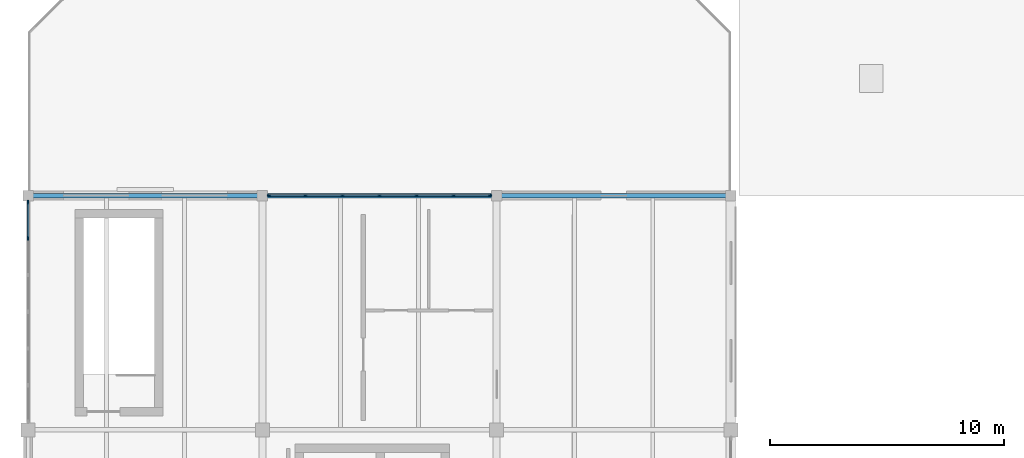
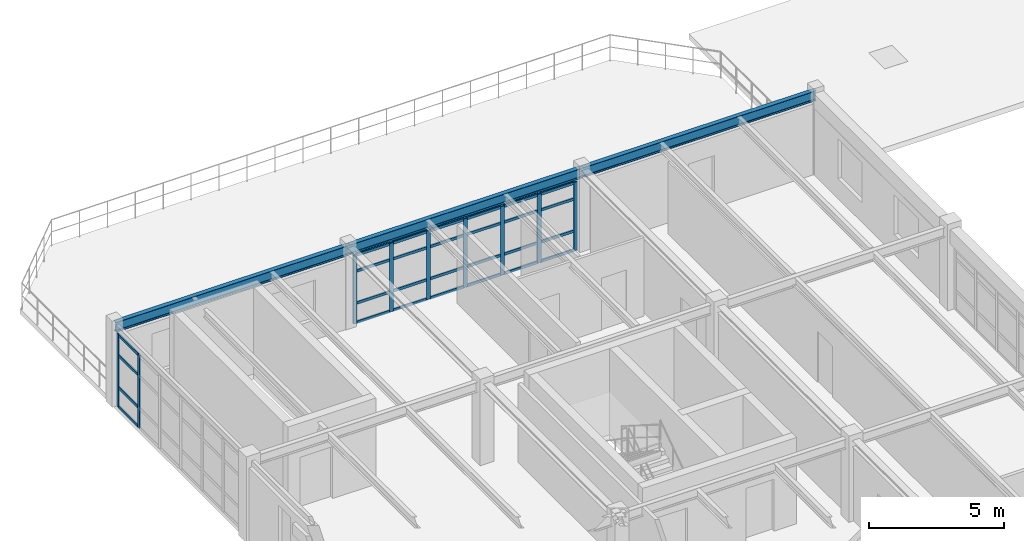
# One storey, part 13 of 23: 37 members, 3 beams, 2 elements without a shape of their own.
"""IFC4 building model written with IfcOpenShell, lengths in metres."""

import ifcopenshell
import ifcopenshell.guid

model = None  # the IFC model being written
_history = None  # IfcOwnerHistory: only IFC2X3 demands one
_inside = {}  # id of a spatial element -> (the spatial element, [elements in it])
_under = {}  # id of a project, library or spatial element -> (it, [spatial elements below it])
_declared = {}  # id of a project -> (the project, [libraries it declares])
_typed = {}  # id of a type object -> (the type object, [elements of that type])
_made_of = {}  # id of a material, layer set ... -> (it, [elements and type objects made of it])


def new_model(schema):
    """Start an empty IFC model of exactly this schema.

    Asked for "IFC4X3", IfcOpenShell would pick the latest addendum, in which some entities
    have other attributes; the version numbers below select the first issue.
    IFC2X3 requires an IfcOwnerHistory on every rooted entity: one is made here for all.
    """
    global model, _history
    if schema == "IFC4X3":
        model = ifcopenshell.file(schema_version=(4, 3, 0, 0))
    else:
        model = ifcopenshell.file(schema=schema)
    _inside.clear()
    _under.clear()
    _declared.clear()
    _typed.clear()
    _made_of.clear()
    _history = None
    if model.schema == "IFC2X3":
        org = make("IfcOrganization", Name="unknown")
        user = make(
            "IfcPersonAndOrganization",
            ThePerson=make("IfcPerson", FamilyName="unknown"),
            TheOrganization=org,
        )
        app = make(
            "IfcApplication",
            ApplicationDeveloper=org,
            Version="unknown",
            ApplicationFullName="unknown",
            ApplicationIdentifier="unknown",
        )
        _history = make(
            "IfcOwnerHistory",
            OwningUser=user,
            OwningApplication=app,
            ChangeAction="ADDED",
            CreationDate=0,
        )
    return model


def make(cls, **values):
    """One entity of the class cls with the attributes given. An attribute that is None is left unset."""
    return model.create_entity(
        cls, **{name: value for name, value in values.items() if value is not None}
    )


def rooted(cls, **values):
    """An entity with a GlobalId (a new one), such as an element, a storey or a relation."""
    return make(cls, GlobalId=ifcopenshell.guid.new(), OwnerHistory=_history, **values)


def si_unit(unit_type, name, prefix=None):
    """IfcSIUnit, for example si_unit("LENGTHUNIT", "METRE", prefix="MILLI")."""
    return make("IfcSIUnit", UnitType=unit_type, Prefix=prefix, Name=name)


def assignment(units):
    """IfcUnitAssignment: the units of a project."""
    return None if units is None else make("IfcUnitAssignment", Units=units)


def point(xyz):
    """IfcCartesianPoint."""
    return None if xyz is None else make("IfcCartesianPoint", Coordinates=xyz)


def direction(xyz):
    """IfcDirection."""
    return None if xyz is None else make("IfcDirection", DirectionRatios=xyz)


def frame(location, z_axis=None, x_axis=None):
    """IfcAxis2Placement3D, a coordinate frame: its origin and axes. An axis left out is left unset."""
    return make(
        "IfcAxis2Placement3D",
        Location=point(location),
        Axis=direction(z_axis),
        RefDirection=direction(x_axis),
    )


def frame_2d(location, x_axis=None):
    """IfcAxis2Placement2D, a coordinate frame in the plane: its origin and x axis."""
    return make(
        "IfcAxis2Placement2D", Location=point(location), RefDirection=direction(x_axis)
    )


def origin():
    """The frame at (0, 0, 0) with its axes left unset."""
    return frame((0.0, 0.0, 0.0))


def origin_2d():
    """The frame at (0, 0) in the plane with its x axis left unset."""
    return frame_2d((0.0, 0.0))


def place(relative_to, where):
    """IfcLocalPlacement: puts the frame where relative to a parent placement (None: the world)."""
    return make(
        "IfcLocalPlacement", PlacementRelTo=relative_to, RelativePlacement=where
    )


def context(
    kind, dimensions, precision=None, world=None, true_north=None, identifier=None
):
    """IfcGeometricRepresentationContext, for example the 3D "Model" context."""
    return make(
        "IfcGeometricRepresentationContext",
        ContextIdentifier=identifier,
        ContextType=kind,
        CoordinateSpaceDimension=dimensions,
        Precision=precision,
        WorldCoordinateSystem=world,
        TrueNorth=true_north,
    )


def subcontext(parent, identifier, kind, view, scale=None):
    """IfcGeometricRepresentationSubContext, for example "Body" below "Model"."""
    return make(
        "IfcGeometricRepresentationSubContext",
        ContextIdentifier=identifier,
        ContextType=kind,
        ParentContext=parent,
        TargetScale=scale,
        TargetView=view,
    )


def project(units=None, contexts=None):
    """IfcProject with its units and contexts."""
    return rooted(
        "IfcProject",
        Name="project",
        RepresentationContexts=contexts,
        UnitsInContext=assignment(units),
    )


def spatial(cls, under=None, at=None, **own):
    """A site, building, storey or space (cls), placed at a placement, below another one or the project."""
    s = rooted(cls, ObjectPlacement=at, **own)
    if under is not None:
        _under.setdefault(under.id(), (under, []))[1].append(s)
    return s


def profile(cls, at=None, kind="AREA", **sizes):
    """A parametric profile (cls). Its sizes go by their IFC names, for example OverallWidth=200.0."""
    return make(cls, ProfileType=kind, Position=at, **sizes)


def rectangle(**sizes):
    """IfcRectangleProfileDef."""
    return profile("IfcRectangleProfileDef", **sizes)


def i_section(**sizes):
    """IfcIShapeProfileDef."""
    return profile("IfcIShapeProfileDef", **sizes)


def extrude(swept, where, along, depth):
    """IfcExtrudedAreaSolid: the profile swept, set in the frame where, extruded along a direction by depth."""
    return make(
        "IfcExtrudedAreaSolid",
        SweptArea=swept,
        Position=where,
        ExtrudedDirection=direction(along),
        Depth=depth,
    )


def shape(context_of_items, identifier, shape_type, items):
    """IfcShapeRepresentation: the items that make up one representation, for example the "Body"."""
    return make(
        "IfcShapeRepresentation",
        ContextOfItems=context_of_items,
        RepresentationIdentifier=identifier,
        RepresentationType=shape_type,
        Items=items,
    )


def material(Name=None, Category=None):
    """IfcMaterial."""
    return make("IfcMaterial", Name=Name, Category=Category)


def layer(
    of_material, thickness, ventilated=None, Name=None, Category=None, Priority=None
):
    """IfcMaterialLayer: one layer of a wall or slab, of a material (None: an air gap)."""
    return make(
        "IfcMaterialLayer",
        Material=of_material,
        LayerThickness=thickness,
        IsVentilated=ventilated,
        Name=Name,
        Category=Category,
        Priority=Priority,
    )


def layer_set(layers, Name=None):
    """IfcMaterialLayerSet."""
    return make("IfcMaterialLayerSet", MaterialLayers=layers, LayerSetName=Name)


def material_profile(
    of_material, cross_section, Name=None, Category=None, Priority=None
):
    """IfcMaterialProfile: a cross section and its material."""
    return make(
        "IfcMaterialProfile",
        Name=Name,
        Material=of_material,
        Profile=cross_section,
        Priority=Priority,
        Category=Category,
    )


def profile_set(profiles, Name=None, composite=None):
    """IfcMaterialProfileSet."""
    return make(
        "IfcMaterialProfileSet",
        Name=Name,
        MaterialProfiles=profiles,
        CompositeProfile=composite,
    )


def made_of(thing, what):
    """Note that an element or type object is made of a material, layer set ...; save() writes the relation."""
    if what is not None:
        _made_of.setdefault(what.id(), (what, []))[1].append(thing)
    return thing


def type_object(cls, material=None, **own):
    """A type object (cls), such as IfcWallType, which elements share."""
    return made_of(rooted(cls, **own), material)


def element(
    cls,
    number,
    at=None,
    inside=None,
    cuts=None,
    type_object=None,
    material=None,
    context=None,
    identifier="Body",
    shape_type=None,
    held_by="IfcProductDefinitionShape",
    body=None,
    shapes=None,
    **own,
):
    """One element of the class cls, such as IfcWall. Its Tag is "e" and its number.

    at: its placement. inside: the storey or other place that contains it. cuts: it is an
    opening in that element (IfcRelVoidsElement). A single representation is given by context,
    identifier, shape_type and body (its items); several are given by shapes. held_by: the class
    of the entity that holds the representations. save() writes the other relations.
    """
    e = rooted(cls, Tag="e%d" % number, ObjectPlacement=at, **own)
    if body is not None:
        shapes = [shape(context, identifier, shape_type, body)]
    if shapes is not None:
        e.Representation = make(held_by, Representations=shapes)
    if inside is not None:
        _inside.setdefault(inside.id(), (inside, []))[1].append(e)
    if cuts is not None:
        rooted(
            "IfcRelVoidsElement", RelatingBuildingElement=cuts, RelatedOpeningElement=e
        )
    if type_object is not None:
        _typed.setdefault(type_object.id(), (type_object, []))[1].append(e)
    return made_of(e, material)


def aggregate(whole, parts):
    """IfcRelAggregates: a whole, such as a stair, and the parts it consists of."""
    return rooted("IfcRelAggregates", RelatingObject=whole, RelatedObjects=parts)


def save(model, path):
    """Write the relations noted so far, then the file.

    IfcRelAggregates (storeys below a building ...), IfcRelContainedInSpatialStructure (elements
    in a storey), IfcRelDefinesByType, IfcRelAssociatesMaterial and IfcRelDeclares: one each for
    every whole, place, type object, material and project.
    """
    for whole, parts in _under.values():
        aggregate(whole, parts)
    for where, things in _inside.values():
        rooted(
            "IfcRelContainedInSpatialStructure",
            RelatedElements=things,
            RelatingStructure=where,
        )
    for kind, things in _typed.values():
        rooted("IfcRelDefinesByType", RelatedObjects=things, RelatingType=kind)
    for what, things in _made_of.values():
        rooted("IfcRelAssociatesMaterial", RelatedObjects=things, RelatingMaterial=what)
    for by, libraries in _declared.values():
        rooted("IfcRelDeclares", RelatingContext=by, RelatedDefinitions=libraries)
    model.write(path)


model = new_model("IFC4")

# Units and contexts
model_context = context("Model", 3, precision=1e-05, world=origin(), true_north=direction((0.0, 1.0)))
body_context = subcontext(model_context, "Body", "Model", "MODEL_VIEW")
ifc_project = project(units=[si_unit("LENGTHUNIT", "METRE"), si_unit("AREAUNIT", "SQUARE_METRE"), si_unit("VOLUMEUNIT", "CUBIC_METRE"), si_unit("PLANEANGLEUNIT", "RADIAN"), si_unit("MASSUNIT", "GRAM", prefix="KILO"), si_unit("THERMODYNAMICTEMPERATUREUNIT", "KELVIN"), si_unit("POWERUNIT", "WATT")], contexts=[model_context])

# Site, building, storey
site_placement = place(None, origin())
site = spatial("IfcSite", under=ifc_project, at=site_placement, CompositionType="ELEMENT")
building_placement = place(site_placement, origin())
building = spatial("IfcBuilding", under=site, at=building_placement, Name="Korenveer Ferry Terminal", CompositionType="ELEMENT")
storey_placement = place(building_placement, frame((0.0, 0.0, 14.39990234375)))
storey = spatial("IfcBuildingStorey", under=building, at=storey_placement, Name="L03", CompositionType="ELEMENT", Elevation=14.39990234375)

# Curtain wall, members
ifc_material_1 = material(Name="Unitised bronze-and-glass curtain wall", Category="glass")
ifc_layer_1 = layer(ifc_material_1, 0.159912109375)
ifc_layer_set_1 = layer_set([ifc_layer_1], Name="Unitised bronze-and-glass curtain wall")
curtain_wall_type_1 = type_object("IfcCurtainWallType", Name="ENV-CW-125", PredefinedType="USERDEFINED", material=ifc_layer_set_1)
curtain_wall_1_placement = place(storey_placement, frame((10.2548828125, 70.0, 0.0)))
curtain_wall_1 = element("IfcCurtainWall", 1, at=curtain_wall_1_placement, inside=storey, type_object=curtain_wall_type_1, Name="Lancet curtain wall CWX-L03-X10-20-Y70-70", ObjectType="UNITISED CURTAIN WALL", PredefinedType="USERDEFINED")
ifc_material_2 = material(Name="Anodised bronze aluminium", Category="aluminium")
ifc_material_profile_1 = material_profile(ifc_material_2, rectangle(XDim=0.06005859375, YDim=0.159912109375, at=origin_2d()), Name="ALU 60x160")
ifc_profile_set_1 = profile_set([ifc_material_profile_1], Name="Anodised bronze aluminium")
member_type_1 = type_object("IfcMemberType", Name="ENV-CWM-60X160", PredefinedType="MULLION", material=ifc_profile_set_1)
member_1_placement = place(storey_placement, frame((10.284912109375, 70.0, 0.0), z_axis=(0.0, 0.0, 1.0), x_axis=(0.0, 1.0, 0.0)))
member_1 = element("IfcMember", 2, at=member_1_placement, type_object=member_type_1, Name="CW-125 mullion 1", PredefinedType="MULLION", context=body_context, shape_type="SweptSolid", body=[
    extrude(rectangle(XDim=0.06005859375, YDim=0.159912109375, at=origin_2d()), origin(), (0.0, 0.0, 1.0), 3.10009765625),
])
member_2_placement = place(storey_placement, frame((11.836669921875, 70.0, 0.0), z_axis=(0.0, 0.0, 1.0), x_axis=(0.0, 1.0, 0.0)))
member_2 = element("IfcMember", 3, at=member_2_placement, type_object=member_type_1, Name="CW-125 mullion 2", PredefinedType="MULLION", context=body_context, shape_type="SweptSolid", body=[
    extrude(rectangle(XDim=0.06005859375, YDim=0.159912109375, at=origin_2d()), origin(), (0.0, 0.0, 1.0), 3.10009765625),
])
member_3_placement = place(storey_placement, frame((13.418212890625, 70.0, 0.0), z_axis=(0.0, 0.0, 1.0), x_axis=(0.0, 1.0, 0.0)))
member_3 = element("IfcMember", 4, at=member_3_placement, type_object=member_type_1, Name="CW-125 mullion 3", PredefinedType="MULLION", context=body_context, shape_type="SweptSolid", body=[
    extrude(rectangle(XDim=0.06005859375, YDim=0.159912109375, at=origin_2d()), origin(), (0.0, 0.0, 1.0), 3.10009765625),
])
member_4_placement = place(storey_placement, frame((15.0, 70.0, 0.0), z_axis=(0.0, 0.0, 1.0), x_axis=(0.0, 1.0, 0.0)))
member_4 = element("IfcMember", 5, at=member_4_placement, type_object=member_type_1, Name="CW-125 mullion 4", PredefinedType="MULLION", context=body_context, shape_type="SweptSolid", body=[
    extrude(rectangle(XDim=0.06005859375, YDim=0.159912109375, at=origin_2d()), origin(), (0.0, 0.0, 1.0), 3.10009765625),
])
member_5_placement = place(storey_placement, frame((16.581787109375, 70.0, 0.0), z_axis=(0.0, 0.0, 1.0), x_axis=(0.0, 1.0, 0.0)))
member_5 = element("IfcMember", 6, at=member_5_placement, type_object=member_type_1, Name="CW-125 mullion 5", PredefinedType="MULLION", context=body_context, shape_type="SweptSolid", body=[
    extrude(rectangle(XDim=0.06005859375, YDim=0.159912109375, at=origin_2d()), origin(), (0.0, 0.0, 1.0), 3.10009765625),
])
member_6_placement = place(storey_placement, frame((18.163330078125, 70.0, 0.0), z_axis=(0.0, 0.0, 1.0), x_axis=(0.0, 1.0, 0.0)))
member_6 = element("IfcMember", 7, at=member_6_placement, type_object=member_type_1, Name="CW-125 mullion 6", PredefinedType="MULLION", context=body_context, shape_type="SweptSolid", body=[
    extrude(rectangle(XDim=0.06005859375, YDim=0.159912109375, at=origin_2d()), origin(), (0.0, 0.0, 1.0), 3.10009765625),
])
member_7_placement = place(storey_placement, frame((19.715087890625, 70.0, 0.0), z_axis=(0.0, 0.0, 1.0), x_axis=(0.0, 1.0, 0.0)))
member_7 = element("IfcMember", 8, at=member_7_placement, type_object=member_type_1, Name="CW-125 mullion 7", PredefinedType="MULLION", context=body_context, shape_type="SweptSolid", body=[
    extrude(rectangle(XDim=0.06005859375, YDim=0.159912109375, at=origin_2d()), origin(), (0.0, 0.0, 1.0), 3.10009765625),
])

ifc_layer_2 = layer(ifc_material_1, 0.159912109375)
ifc_layer_set_2 = layer_set([ifc_layer_2], Name="Unitised bronze-and-glass curtain wall")
curtain_wall_type_2 = type_object("IfcCurtainWallType", Name="ENV-CW-126", PredefinedType="USERDEFINED", material=ifc_layer_set_2)
curtain_wall_2_placement = place(storey_placement, frame((0.0, 60.330078125, 0.0)))
curtain_wall_2 = element("IfcCurtainWall", 9, at=curtain_wall_2_placement, inside=storey, type_object=curtain_wall_type_2, Name="Lancet curtain wall CWX-L03-X0-0-Y60-70", ObjectType="UNITISED CURTAIN WALL", PredefinedType="USERDEFINED")
member_8_placement = place(storey_placement, frame((0.0, 68.17578125, 0.0), z_axis=(0.0, 0.0, 1.0), x_axis=(-1.0, 0.0, 0.0)))
member_8 = element("IfcMember", 10, at=member_8_placement, type_object=member_type_1, Name="CW-126 mullion 6", PredefinedType="MULLION", context=body_context, shape_type="SweptSolid", body=[
    extrude(rectangle(XDim=0.06005859375, YDim=0.159912109375, at=origin_2d()), origin(), (0.0, 0.0, 1.0), 3.300048828125),
])
member_9_placement = place(storey_placement, frame((0.0, 69.715087890625, 0.0), z_axis=(0.0, 0.0, 1.0), x_axis=(-1.0, 0.0, 0.0)))
member_9 = element("IfcMember", 11, at=member_9_placement, type_object=member_type_1, Name="CW-126 mullion 7", PredefinedType="MULLION", context=body_context, shape_type="SweptSolid", body=[
    extrude(rectangle(XDim=0.06005859375, YDim=0.159912109375, at=origin_2d()), origin(), (0.0, 0.0, 1.0), 3.300048828125),
])

# Member
ifc_material_profile_2 = material_profile(ifc_material_2, rectangle(XDim=0.06005859375, YDim=0.1201171875, at=origin_2d()), Name="ALU 60x120")
ifc_profile_set_2 = profile_set([ifc_material_profile_2], Name="Anodised bronze aluminium")
member_type_2 = type_object("IfcMemberType", Name="ENV-CWT-60X120", PredefinedType="USERDEFINED", material=ifc_profile_set_2)
member_10_placement = place(storey_placement, frame((10.31494140625, 70.0, 0.030029296875), z_axis=(1.0, 0.0, 0.0), x_axis=(0.0, 1.0, 0.0)))
member_10 = element("IfcMember", 12, at=member_10_placement, type_object=member_type_2, Name="CW-125 transom 1.1", ObjectType="TRANSOM", PredefinedType="USERDEFINED", context=body_context, shape_type="SweptSolid", body=[
    extrude(rectangle(XDim=0.06005859375, YDim=0.1201171875, at=origin_2d()), origin(), (0.0, 0.0, 1.0), 1.49169921875),
])

member_11_placement = place(storey_placement, frame((10.31494140625, 70.0, 0.900146484375), z_axis=(1.0, 0.0, 0.0), x_axis=(0.0, 1.0, 0.0)))
member_11 = element("IfcMember", 13, at=member_11_placement, type_object=member_type_2, Name="CW-125 transom 1.2", ObjectType="TRANSOM", PredefinedType="USERDEFINED", context=body_context, shape_type="SweptSolid", body=[
    extrude(rectangle(XDim=0.06005859375, YDim=0.1201171875, at=origin_2d()), origin(), (0.0, 0.0, 1.0), 1.49169921875),
])

member_12_placement = place(storey_placement, frame((10.31494140625, 70.0, 2.35009765625), z_axis=(1.0, 0.0, 0.0), x_axis=(0.0, 1.0, 0.0)))
member_12 = element("IfcMember", 14, at=member_12_placement, type_object=member_type_2, Name="CW-125 transom 1.3", ObjectType="TRANSOM", PredefinedType="USERDEFINED", context=body_context, shape_type="SweptSolid", body=[
    extrude(rectangle(XDim=0.06005859375, YDim=0.1201171875, at=origin_2d()), origin(), (0.0, 0.0, 1.0), 1.49169921875),
])

member_13_placement = place(storey_placement, frame((10.31494140625, 70.0, 3.070068359375), z_axis=(1.0, 0.0, 0.0), x_axis=(0.0, 1.0, 0.0)))
member_13 = element("IfcMember", 15, at=member_13_placement, type_object=member_type_2, Name="CW-125 transom 1.4", ObjectType="TRANSOM", PredefinedType="USERDEFINED", context=body_context, shape_type="SweptSolid", body=[
    extrude(rectangle(XDim=0.06005859375, YDim=0.1201171875, at=origin_2d()), origin(), (0.0, 0.0, 1.0), 1.49169921875),
])

member_14_placement = place(storey_placement, frame((11.86669921875, 70.0, 0.030029296875), z_axis=(1.0, 0.0, 0.0), x_axis=(0.0, 1.0, 0.0)))
member_14 = element("IfcMember", 16, at=member_14_placement, type_object=member_type_2, Name="CW-125 transom 2.1", ObjectType="TRANSOM", PredefinedType="USERDEFINED", context=body_context, shape_type="SweptSolid", body=[
    extrude(rectangle(XDim=0.06005859375, YDim=0.1201171875, at=origin_2d()), origin(), (0.0, 0.0, 1.0), 1.521728515625),
])

member_15_placement = place(storey_placement, frame((11.86669921875, 70.0, 0.900146484375), z_axis=(1.0, 0.0, 0.0), x_axis=(0.0, 1.0, 0.0)))
member_15 = element("IfcMember", 17, at=member_15_placement, type_object=member_type_2, Name="CW-125 transom 2.2", ObjectType="TRANSOM", PredefinedType="USERDEFINED", context=body_context, shape_type="SweptSolid", body=[
    extrude(rectangle(XDim=0.06005859375, YDim=0.1201171875, at=origin_2d()), origin(), (0.0, 0.0, 1.0), 1.521728515625),
])

member_16_placement = place(storey_placement, frame((11.86669921875, 70.0, 2.35009765625), z_axis=(1.0, 0.0, 0.0), x_axis=(0.0, 1.0, 0.0)))
member_16 = element("IfcMember", 18, at=member_16_placement, type_object=member_type_2, Name="CW-125 transom 2.3", ObjectType="TRANSOM", PredefinedType="USERDEFINED", context=body_context, shape_type="SweptSolid", body=[
    extrude(rectangle(XDim=0.06005859375, YDim=0.1201171875, at=origin_2d()), origin(), (0.0, 0.0, 1.0), 1.521728515625),
])

member_17_placement = place(storey_placement, frame((11.86669921875, 70.0, 3.070068359375), z_axis=(1.0, 0.0, 0.0), x_axis=(0.0, 1.0, 0.0)))
member_17 = element("IfcMember", 19, at=member_17_placement, type_object=member_type_2, Name="CW-125 transom 2.4", ObjectType="TRANSOM", PredefinedType="USERDEFINED", context=body_context, shape_type="SweptSolid", body=[
    extrude(rectangle(XDim=0.06005859375, YDim=0.1201171875, at=origin_2d()), origin(), (0.0, 0.0, 1.0), 1.521728515625),
])

member_18_placement = place(storey_placement, frame((13.4482421875, 70.0, 0.030029296875), z_axis=(1.0, 0.0, 0.0), x_axis=(0.0, 1.0, 0.0)))
member_18 = element("IfcMember", 20, at=member_18_placement, type_object=member_type_2, Name="CW-125 transom 3.1", ObjectType="TRANSOM", PredefinedType="USERDEFINED", context=body_context, shape_type="SweptSolid", body=[
    extrude(rectangle(XDim=0.06005859375, YDim=0.1201171875, at=origin_2d()), origin(), (0.0, 0.0, 1.0), 1.521728515625),
])

member_19_placement = place(storey_placement, frame((13.4482421875, 70.0, 0.900146484375), z_axis=(1.0, 0.0, 0.0), x_axis=(0.0, 1.0, 0.0)))
member_19 = element("IfcMember", 21, at=member_19_placement, type_object=member_type_2, Name="CW-125 transom 3.2", ObjectType="TRANSOM", PredefinedType="USERDEFINED", context=body_context, shape_type="SweptSolid", body=[
    extrude(rectangle(XDim=0.06005859375, YDim=0.1201171875, at=origin_2d()), origin(), (0.0, 0.0, 1.0), 1.521728515625),
])

member_20_placement = place(storey_placement, frame((13.4482421875, 70.0, 2.35009765625), z_axis=(1.0, 0.0, 0.0), x_axis=(0.0, 1.0, 0.0)))
member_20 = element("IfcMember", 22, at=member_20_placement, type_object=member_type_2, Name="CW-125 transom 3.3", ObjectType="TRANSOM", PredefinedType="USERDEFINED", context=body_context, shape_type="SweptSolid", body=[
    extrude(rectangle(XDim=0.06005859375, YDim=0.1201171875, at=origin_2d()), origin(), (0.0, 0.0, 1.0), 1.521728515625),
])

member_21_placement = place(storey_placement, frame((13.4482421875, 70.0, 3.070068359375), z_axis=(1.0, 0.0, 0.0), x_axis=(0.0, 1.0, 0.0)))
member_21 = element("IfcMember", 23, at=member_21_placement, type_object=member_type_2, Name="CW-125 transom 3.4", ObjectType="TRANSOM", PredefinedType="USERDEFINED", context=body_context, shape_type="SweptSolid", body=[
    extrude(rectangle(XDim=0.06005859375, YDim=0.1201171875, at=origin_2d()), origin(), (0.0, 0.0, 1.0), 1.521728515625),
])

member_22_placement = place(storey_placement, frame((15.030029296875, 70.0, 0.030029296875), z_axis=(1.0, 0.0, 0.0), x_axis=(0.0, 1.0, 0.0)))
member_22 = element("IfcMember", 24, at=member_22_placement, type_object=member_type_2, Name="CW-125 transom 4.1", ObjectType="TRANSOM", PredefinedType="USERDEFINED", context=body_context, shape_type="SweptSolid", body=[
    extrude(rectangle(XDim=0.06005859375, YDim=0.1201171875, at=origin_2d()), origin(), (0.0, 0.0, 1.0), 1.521728515625),
])

member_23_placement = place(storey_placement, frame((15.030029296875, 70.0, 0.900146484375), z_axis=(1.0, 0.0, 0.0), x_axis=(0.0, 1.0, 0.0)))
member_23 = element("IfcMember", 25, at=member_23_placement, type_object=member_type_2, Name="CW-125 transom 4.2", ObjectType="TRANSOM", PredefinedType="USERDEFINED", context=body_context, shape_type="SweptSolid", body=[
    extrude(rectangle(XDim=0.06005859375, YDim=0.1201171875, at=origin_2d()), origin(), (0.0, 0.0, 1.0), 1.521728515625),
])

member_24_placement = place(storey_placement, frame((15.030029296875, 70.0, 2.35009765625), z_axis=(1.0, 0.0, 0.0), x_axis=(0.0, 1.0, 0.0)))
member_24 = element("IfcMember", 26, at=member_24_placement, type_object=member_type_2, Name="CW-125 transom 4.3", ObjectType="TRANSOM", PredefinedType="USERDEFINED", context=body_context, shape_type="SweptSolid", body=[
    extrude(rectangle(XDim=0.06005859375, YDim=0.1201171875, at=origin_2d()), origin(), (0.0, 0.0, 1.0), 1.521728515625),
])

member_25_placement = place(storey_placement, frame((15.030029296875, 70.0, 3.070068359375), z_axis=(1.0, 0.0, 0.0), x_axis=(0.0, 1.0, 0.0)))
member_25 = element("IfcMember", 27, at=member_25_placement, type_object=member_type_2, Name="CW-125 transom 4.4", ObjectType="TRANSOM", PredefinedType="USERDEFINED", context=body_context, shape_type="SweptSolid", body=[
    extrude(rectangle(XDim=0.06005859375, YDim=0.1201171875, at=origin_2d()), origin(), (0.0, 0.0, 1.0), 1.521728515625),
])

member_26_placement = place(storey_placement, frame((16.611572265625, 70.0, 0.030029296875), z_axis=(1.0, 0.0, 0.0), x_axis=(0.0, 1.0, 0.0)))
member_26 = element("IfcMember", 28, at=member_26_placement, type_object=member_type_2, Name="CW-125 transom 5.1", ObjectType="TRANSOM", PredefinedType="USERDEFINED", context=body_context, shape_type="SweptSolid", body=[
    extrude(rectangle(XDim=0.06005859375, YDim=0.1201171875, at=origin_2d()), origin(), (0.0, 0.0, 1.0), 1.521728515625),
])

member_27_placement = place(storey_placement, frame((16.611572265625, 70.0, 0.900146484375), z_axis=(1.0, 0.0, 0.0), x_axis=(0.0, 1.0, 0.0)))
member_27 = element("IfcMember", 29, at=member_27_placement, type_object=member_type_2, Name="CW-125 transom 5.2", ObjectType="TRANSOM", PredefinedType="USERDEFINED", context=body_context, shape_type="SweptSolid", body=[
    extrude(rectangle(XDim=0.06005859375, YDim=0.1201171875, at=origin_2d()), origin(), (0.0, 0.0, 1.0), 1.521728515625),
])

member_28_placement = place(storey_placement, frame((16.611572265625, 70.0, 2.35009765625), z_axis=(1.0, 0.0, 0.0), x_axis=(0.0, 1.0, 0.0)))
member_28 = element("IfcMember", 30, at=member_28_placement, type_object=member_type_2, Name="CW-125 transom 5.3", ObjectType="TRANSOM", PredefinedType="USERDEFINED", context=body_context, shape_type="SweptSolid", body=[
    extrude(rectangle(XDim=0.06005859375, YDim=0.1201171875, at=origin_2d()), origin(), (0.0, 0.0, 1.0), 1.521728515625),
])

member_29_placement = place(storey_placement, frame((16.611572265625, 70.0, 3.070068359375), z_axis=(1.0, 0.0, 0.0), x_axis=(0.0, 1.0, 0.0)))
member_29 = element("IfcMember", 31, at=member_29_placement, type_object=member_type_2, Name="CW-125 transom 5.4", ObjectType="TRANSOM", PredefinedType="USERDEFINED", context=body_context, shape_type="SweptSolid", body=[
    extrude(rectangle(XDim=0.06005859375, YDim=0.1201171875, at=origin_2d()), origin(), (0.0, 0.0, 1.0), 1.521728515625),
])

member_30_placement = place(storey_placement, frame((18.193359375, 70.0, 0.030029296875), z_axis=(1.0, 0.0, 0.0), x_axis=(0.0, 1.0, 0.0)))
member_30 = element("IfcMember", 32, at=member_30_placement, type_object=member_type_2, Name="CW-125 transom 6.1", ObjectType="TRANSOM", PredefinedType="USERDEFINED", context=body_context, shape_type="SweptSolid", body=[
    extrude(rectangle(XDim=0.06005859375, YDim=0.1201171875, at=origin_2d()), origin(), (0.0, 0.0, 1.0), 1.49169921875),
])

member_31_placement = place(storey_placement, frame((18.193359375, 70.0, 0.900146484375), z_axis=(1.0, 0.0, 0.0), x_axis=(0.0, 1.0, 0.0)))
member_31 = element("IfcMember", 33, at=member_31_placement, type_object=member_type_2, Name="CW-125 transom 6.2", ObjectType="TRANSOM", PredefinedType="USERDEFINED", context=body_context, shape_type="SweptSolid", body=[
    extrude(rectangle(XDim=0.06005859375, YDim=0.1201171875, at=origin_2d()), origin(), (0.0, 0.0, 1.0), 1.49169921875),
])

member_32_placement = place(storey_placement, frame((18.193359375, 70.0, 2.35009765625), z_axis=(1.0, 0.0, 0.0), x_axis=(0.0, 1.0, 0.0)))
member_32 = element("IfcMember", 34, at=member_32_placement, type_object=member_type_2, Name="CW-125 transom 6.3", ObjectType="TRANSOM", PredefinedType="USERDEFINED", context=body_context, shape_type="SweptSolid", body=[
    extrude(rectangle(XDim=0.06005859375, YDim=0.1201171875, at=origin_2d()), origin(), (0.0, 0.0, 1.0), 1.49169921875),
])

member_33_placement = place(storey_placement, frame((18.193359375, 70.0, 3.070068359375), z_axis=(1.0, 0.0, 0.0), x_axis=(0.0, 1.0, 0.0)))
member_33 = element("IfcMember", 35, at=member_33_placement, type_object=member_type_2, Name="CW-125 transom 6.4", ObjectType="TRANSOM", PredefinedType="USERDEFINED", context=body_context, shape_type="SweptSolid", body=[
    extrude(rectangle(XDim=0.06005859375, YDim=0.1201171875, at=origin_2d()), origin(), (0.0, 0.0, 1.0), 1.49169921875),
])

aggregate(curtain_wall_1, [member_1, member_2, member_3, member_4, member_5, member_6, member_7, member_10, member_11, member_12, member_13, member_14, member_15, member_16, member_17, member_18, member_19, member_20, member_21, member_22, member_23, member_24, member_25, member_26, member_27, member_28, member_29, member_30, member_31, member_32, member_33])

member_34_placement = place(storey_placement, frame((0.0, 68.205810546875, 0.030029296875), z_axis=(0.0, 1.0, 0.0), x_axis=(-1.0, 0.0, 0.0)))
member_34 = element("IfcMember", 36, at=member_34_placement, type_object=member_type_2, Name="CW-126 transom 6.1", ObjectType="TRANSOM", PredefinedType="USERDEFINED", context=body_context, shape_type="SweptSolid", body=[
    extrude(rectangle(XDim=0.06005859375, YDim=0.1201171875, at=origin_2d()), origin(), (0.0, 0.0, 1.0), 1.479248046875),
])

member_35_placement = place(storey_placement, frame((0.0, 68.205810546875, 0.900146484375), z_axis=(0.0, 1.0, 0.0), x_axis=(-1.0, 0.0, 0.0)))
member_35 = element("IfcMember", 37, at=member_35_placement, type_object=member_type_2, Name="CW-126 transom 6.2", ObjectType="TRANSOM", PredefinedType="USERDEFINED", context=body_context, shape_type="SweptSolid", body=[
    extrude(rectangle(XDim=0.06005859375, YDim=0.1201171875, at=origin_2d()), origin(), (0.0, 0.0, 1.0), 1.479248046875),
])

member_36_placement = place(storey_placement, frame((0.0, 68.205810546875, 2.35009765625), z_axis=(0.0, 1.0, 0.0), x_axis=(-1.0, 0.0, 0.0)))
member_36 = element("IfcMember", 38, at=member_36_placement, type_object=member_type_2, Name="CW-126 transom 6.3", ObjectType="TRANSOM", PredefinedType="USERDEFINED", context=body_context, shape_type="SweptSolid", body=[
    extrude(rectangle(XDim=0.06005859375, YDim=0.1201171875, at=origin_2d()), origin(), (0.0, 0.0, 1.0), 1.479248046875),
])

member_37_placement = place(storey_placement, frame((0.0, 68.205810546875, 3.27001953125), z_axis=(0.0, 1.0, 0.0), x_axis=(-1.0, 0.0, 0.0)))
member_37 = element("IfcMember", 39, at=member_37_placement, type_object=member_type_2, Name="CW-126 transom 6.4", ObjectType="TRANSOM", PredefinedType="USERDEFINED", context=body_context, shape_type="SweptSolid", body=[
    extrude(rectangle(XDim=0.06005859375, YDim=0.1201171875, at=origin_2d()), origin(), (0.0, 0.0, 1.0), 1.479248046875),
])

aggregate(curtain_wall_2, [member_8, member_9, member_34, member_35, member_36, member_37])

# Beams
ifc_material_3 = material(Name="Steel S355", Category="steel")
ifc_material_profile_3 = material_profile(ifc_material_3, i_section(OverallWidth=0.18994140625, OverallDepth=0.449951171875, WebThickness=0.009521484375, FlangeThickness=0.0146484375, FilletRadius=0.02099609375, at=origin_2d()), Name="IPE 450")
ifc_profile_set_3 = profile_set([ifc_material_profile_3], Name="Steel S355")
beam_type = type_object("IfcBeamType", Name="STR-BM-IPE450", PredefinedType="BEAM", material=ifc_profile_set_3)
for number, where, z_axis, x_axis, name in (
    (40, (0.02001953125, 70.0, 3.455078125), (1.0, 0.0, 0.0), (0.0, 1.0, 0.0), "Primary X girder BMX-L04-X0-10-Y70"),
    (41, (10.02001953125, 70.0, 3.455078125), (1.0, 0.0, 0.0), (0.0, 1.0, 0.0), "Primary X girder BMX-L04-X10-20-Y70"),
    (42, (20.02001953125, 70.0, 3.455078125), (1.0, 0.0, 0.0), (0.0, 1.0, 0.0), "Primary X girder BMX-L04-X20-30-Y70"),
):
    element("IfcBeam", number, at=place(storey_placement, frame(where, z_axis=z_axis, x_axis=x_axis)), inside=storey, type_object=beam_type, Name=name, PredefinedType="BEAM", context=body_context, shape_type="SweptSolid", body=[
        extrude(i_section(OverallWidth=0.18994140625, OverallDepth=0.449951171875, WebThickness=0.009521484375, FlangeThickness=0.0146484375, FilletRadius=0.02099609375, at=origin_2d()), origin(), (0.0, 0.0, 1.0), 9.9599609375),
    ])

save(model, "model.ifc")
